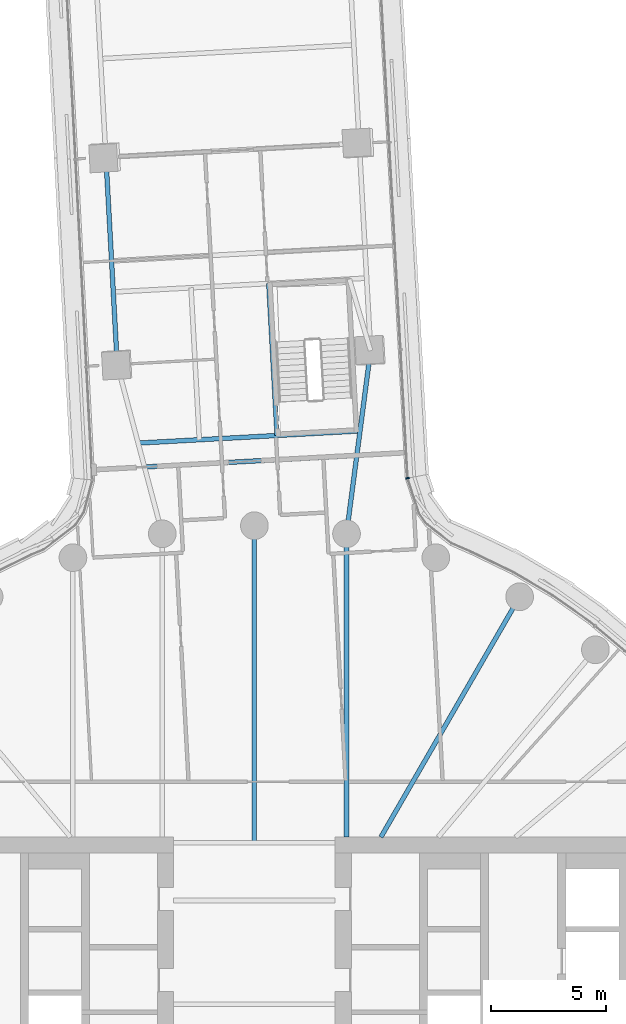
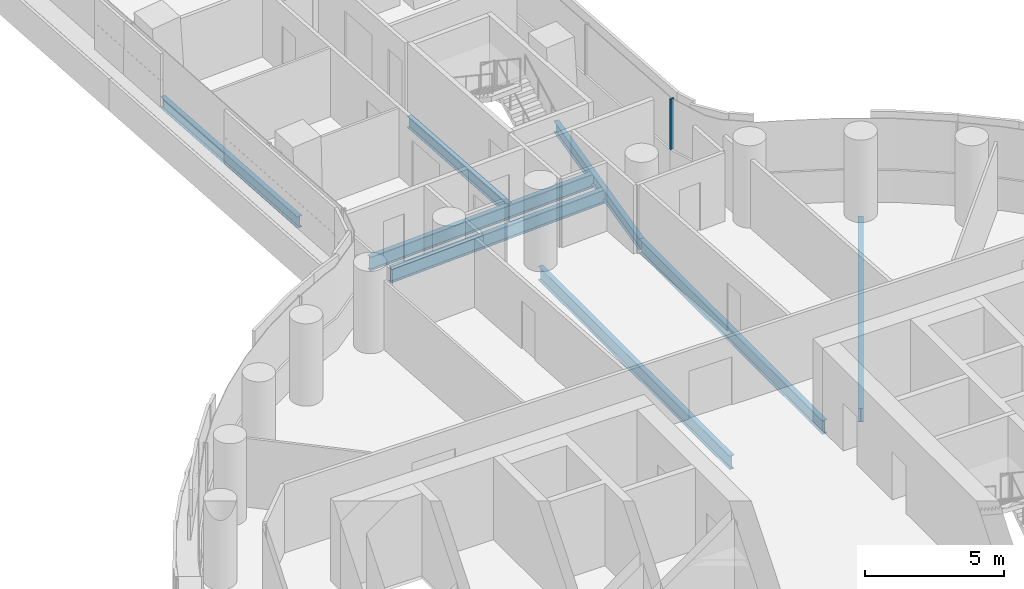
# One storey, part 14 of 31: 8 beams, 1 member, 1 element without a shape of its own.
"""IFC4 building model written with IfcOpenShell, lengths in metres."""

from ifc_helpers import new_model, si_unit, direction, frame, origin, origin_2d, place, context, subcontext, project, spatial, rectangle, i_section, extrude, material, layer, layer_set, material_profile, profile_set, type_object, element, aggregate, save


model = new_model("IFC4")

# Units and contexts
model_context = context("Model", 3, precision=1e-05, world=origin(), true_north=direction((0.0, 1.0)))
body_context = subcontext(model_context, "Body", "Model", "MODEL_VIEW")
ifc_project = project(units=[si_unit("LENGTHUNIT", "METRE"), si_unit("AREAUNIT", "SQUARE_METRE"), si_unit("VOLUMEUNIT", "CUBIC_METRE"), si_unit("PLANEANGLEUNIT", "RADIAN"), si_unit("MASSUNIT", "GRAM", prefix="KILO")], contexts=[model_context])

# Site, building, storey
site_placement = place(None, origin())
site = spatial("IfcSite", under=ifc_project, at=site_placement, CompositionType="ELEMENT")
building_placement = place(site_placement, origin())
building = spatial("IfcBuilding", under=site, at=building_placement, Name="Tamarind Cross Interchange Tower", CompositionType="ELEMENT")
storey_placement = place(building_placement, frame((0.0, 0.0, 45.25)))
storey = spatial("IfcBuildingStorey", under=building, at=storey_placement, Name="L09", CompositionType="ELEMENT", Elevation=45.25)

# Beams
ifc_material_1 = material(Name="Steel Q355B", Category="steel")
ifc_material_profile_1 = material_profile(ifc_material_1, i_section(OverallWidth=0.198974609375, OverallDepth=0.49609375, WebThickness=0.009033203125, FlangeThickness=0.013916015625, FilletRadius=0.012939453125, at=origin_2d()), Name="HN 496x199x9x14")
ifc_profile_set_1 = profile_set([ifc_material_profile_1], Name="Steel Q355B")
beam_type_1 = type_object("IfcBeamType", Name="Composite beam HN 496x199x9x14 Q355B", PredefinedType="BEAM", material=ifc_profile_set_1)
beam_1_placement = place(storey_placement, frame((-6.437744140625, 38.973388671875, -0.387939453125), z_axis=(0.054687253698, -0.998503532434, 0.0), x_axis=(0.998503532434, 0.054687253698, 0.0)))
element("IfcBeam", 1, at=beam_1_placement, inside=storey, type_object=beam_type_1, Name="Beam N-edgeep3", PredefinedType="BEAM", context=body_context, shape_type="SweptSolid", body=[
    extrude(i_section(OverallWidth=0.198974609375, OverallDepth=0.49609375, WebThickness=0.009033203125, FlangeThickness=0.013916015625, FilletRadius=0.012939453125, at=origin_2d()), origin(), (0.0, 0.0, 1.0), 9.0),
])
beam_2_placement = place(storey_placement, frame((5.037841796875, 30.58837890625, -0.387939453125), z_axis=(-0.130393772761, -0.99146228573, 0.0), x_axis=(0.99146228573, -0.130393772761, 0.0)))
element("IfcBeam", 2, at=beam_2_placement, inside=storey, type_object=beam_type_1, Name="Beam N-linkem", PredefinedType="BEAM", context=body_context, shape_type="SweptSolid", body=[
    extrude(i_section(OverallWidth=0.198974609375, OverallDepth=0.49609375, WebThickness=0.009033203125, FlangeThickness=0.013916015625, FilletRadius=0.012939453125, at=origin_2d()), origin(), (0.0, 0.0, 1.0), 8.006103515625),
])
beam_3_placement = place(storey_placement, frame((0.98291015625, 26.9111328125, -0.387939453125), z_axis=(-0.054673040098, 0.9985043108, 0.0), x_axis=(-0.9985043108, -0.054673040098, 0.0)))
element("IfcBeam", 3, at=beam_3_placement, inside=storey, type_object=beam_type_1, Name="Beam N-tr1", PredefinedType="BEAM", context=body_context, shape_type="SweptSolid", body=[
    extrude(i_section(OverallWidth=0.198974609375, OverallDepth=0.49609375, WebThickness=0.009033203125, FlangeThickness=0.013916015625, FilletRadius=0.012939453125, at=origin_2d()), origin(), (0.0, 0.0, 1.0), 6.599853515625),
])
ifc_material_profile_2 = material_profile(ifc_material_1, i_section(OverallWidth=0.198974609375, OverallDepth=0.595947265625, WebThickness=0.010009765625, FlangeThickness=0.014892578125, FilletRadius=0.012939453125, at=origin_2d()), Name="HN 596x199x10x15")
ifc_profile_set_2 = profile_set([ifc_material_profile_2], Name="Steel Q355B")
beam_type_2 = type_object("IfcBeamType", Name="Composite beam HN 596x199x10x15 Q355B", PredefinedType="BEAM", material=ifc_profile_set_2)
beam_4_placement = place(storey_placement, frame((11.5, 19.918701171875, -0.43798828125), z_axis=(-0.499993565836, -0.866029118519, 0.0), x_axis=(0.866029118519, -0.499993565836, 0.0)))
element("IfcBeam", 4, at=beam_4_placement, inside=storey, type_object=beam_type_2, Name="Beam HH06", PredefinedType="BEAM", context=body_context, shape_type="SweptSolid", body=[
    extrude(i_section(OverallWidth=0.198974609375, OverallDepth=0.595947265625, WebThickness=0.010009765625, FlangeThickness=0.014892578125, FilletRadius=0.012939453125, at=origin_2d()), origin(), (0.0, 0.0, 1.0), 12.030517578125),
])
beam_5_placement = place(storey_placement, frame((3.993896484375, 22.650634765625, -0.43798828125), z_axis=(0.0, -1.0, 0.0), x_axis=(1.0, 0.0, 0.0)))
element("IfcBeam", 5, at=beam_5_placement, inside=storey, type_object=beam_type_2, Name="Beam HH08", PredefinedType="BEAM", context=body_context, shape_type="SweptSolid", body=[
    extrude(i_section(OverallWidth=0.198974609375, OverallDepth=0.595947265625, WebThickness=0.010009765625, FlangeThickness=0.014892578125, FilletRadius=0.012939453125, at=origin_2d()), origin(), (0.0, 0.0, 1.0), 13.150634765625),
])
beam_6_placement = place(storey_placement, frame((0.0, 23.0, -0.43798828125), z_axis=(0.0, -1.0, 0.0), x_axis=(1.0, 0.0, 0.0)))
element("IfcBeam", 6, at=beam_6_placement, inside=storey, type_object=beam_type_2, Name="Beam HH09", PredefinedType="BEAM", context=body_context, shape_type="SweptSolid", body=[
    extrude(i_section(OverallWidth=0.198974609375, OverallDepth=0.595947265625, WebThickness=0.010009765625, FlangeThickness=0.014892578125, FilletRadius=0.012939453125, at=origin_2d()), origin(), (0.0, 0.0, 1.0), 13.75),
])
ifc_material_profile_3 = material_profile(ifc_material_1, i_section(OverallWidth=0.199951171875, OverallDepth=0.60009765625, WebThickness=0.010986328125, FlangeThickness=0.01708984375, FilletRadius=0.012939453125, at=origin_2d()), Name="HN 600x200x11x17")
ifc_profile_set_3 = profile_set([ifc_material_profile_3], Name="Steel Q355B")
beam_type_3 = type_object("IfcBeamType", Name="Composite beam HN 600x200x11x17 Q355B", PredefinedType="BEAM", material=ifc_profile_set_3)
beam_7_placement = place(storey_placement, frame((4.580078125, 27.108154296875, -0.43994140625), z_axis=(-0.998503555366, -0.054686834995, 0.0), x_axis=(0.054686834995, -0.998503555366, 0.0)))
element("IfcBeam", 7, at=beam_7_placement, inside=storey, type_object=beam_type_3, Name="Beam N-x268", PredefinedType="BEAM", context=body_context, shape_type="SweptSolid", body=[
    extrude(i_section(OverallWidth=0.199951171875, OverallDepth=0.60009765625, WebThickness=0.010986328125, FlangeThickness=0.01708984375, FilletRadius=0.012939453125, at=origin_2d()), origin(), (0.0, 0.0, 1.0), 9.634033203125),
])
beam_8_placement = place(storey_placement, frame((4.44091796875, 26.048828125, -0.43994140625), z_axis=(-0.998504925721, -0.054661808522, 0.0), x_axis=(0.054661808522, -0.998504925721, 0.0)))
element("IfcBeam", 8, at=beam_8_placement, inside=storey, type_object=beam_type_3, Name="Beam N-x258", PredefinedType="BEAM", context=body_context, shape_type="SweptSolid", body=[
    extrude(i_section(OverallWidth=0.199951171875, OverallDepth=0.60009765625, WebThickness=0.010986328125, FlangeThickness=0.01708984375, FilletRadius=0.012939453125, at=origin_2d()), origin(), (0.0, 0.0, 1.0), 9.218505859375),
])

# Curtain wall, member
ifc_material_2 = material(Name="Aluminium 6063-T6", Category="aluminium")
ifc_layer = layer(ifc_material_2, 0.159912109375)
ifc_layer_set = layer_set([ifc_layer], Name="Aluminium 6063-T6")
curtain_wall_type = type_object("IfcCurtainWallType", Name="Office curtain wall, 9.0 m bays", PredefinedType="NOTDEFINED", material=ifc_layer_set)
curtain_wall_placement = place(storey_placement, origin())
curtain_wall = element("IfcCurtainWall", 9, at=curtain_wall_placement, inside=storey, type_object=curtain_wall_type, Name="CWS-L09-11", PredefinedType="NOTDEFINED")
ifc_material_profile_4 = material_profile(ifc_material_2, rectangle(XDim=0.06005859375, YDim=0.159912109375, at=origin_2d()), Name="Mullion CW1")
ifc_profile_set_4 = profile_set([ifc_material_profile_4], Name="Aluminium 6063-T6")
member_type = type_object("IfcMemberType", Name="Mullion CW1", PredefinedType="MULLION", material=ifc_profile_set_4)
member_placement = place(storey_placement, frame((6.642578125, 25.0615234375, 1.39990234375), z_axis=(0.0, 0.0, 1.0), x_axis=(-0.183566262262, 0.983007338406, 0.0)))
member = element("IfcMember", 10, at=member_placement, type_object=member_type, Name="CWM-L09-11-00", PredefinedType="MULLION", context=body_context, shape_type="SweptSolid", body=[
    extrude(rectangle(XDim=0.06005859375, YDim=0.159912109375, at=origin_2d()), origin(), (0.0, 0.0, 1.0), 2.210205078125),
])
aggregate(curtain_wall, [member])

save(model, "model.ifc")
